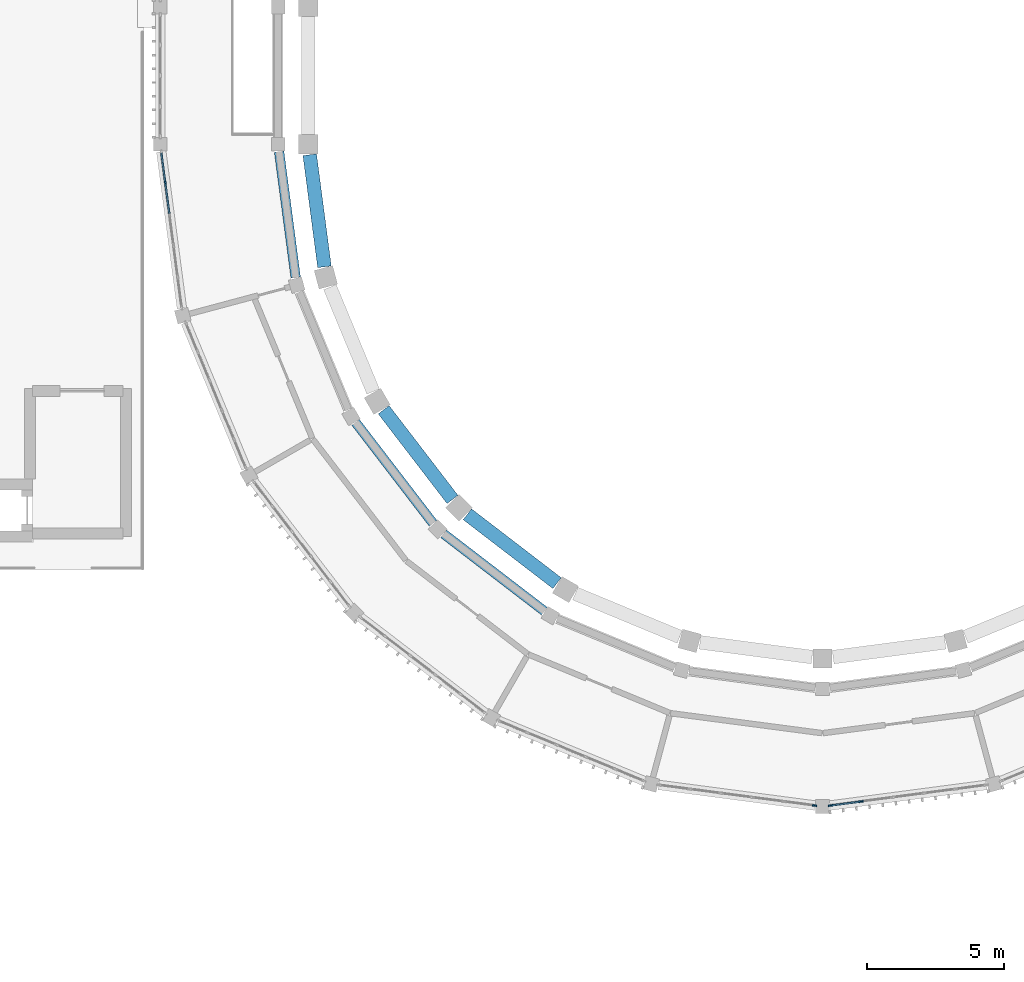
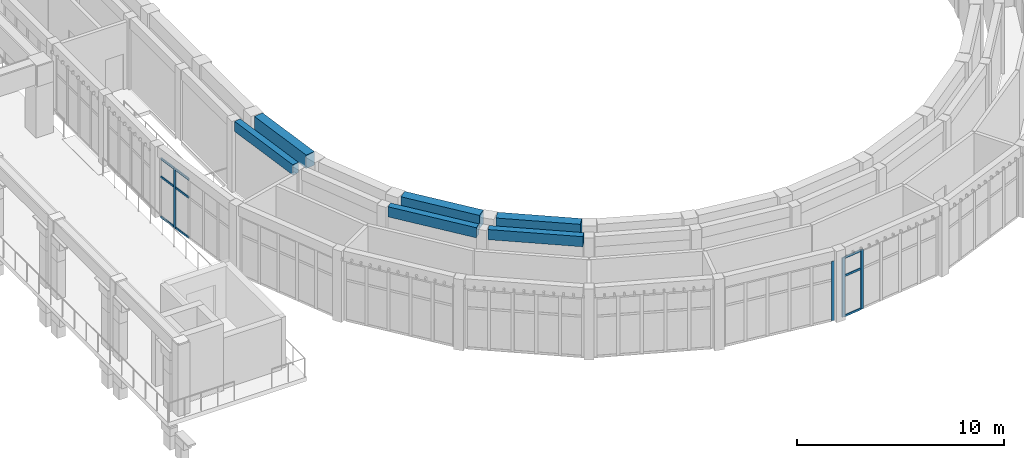
# One storey, part 6 of 99: 13 members, 6 beams, 3 elements without a shape of their own.
"""IFC4 building model written with IfcOpenShell, lengths in metres."""

from ifc_helpers import new_model, si_unit, direction, frame, origin, origin_2d, place, context, subcontext, project, spatial, rectangle, extrude, material, layer, layer_set, material_profile, profile_set, type_object, element, aggregate, save


model = new_model("IFC4")

# Units and contexts
model_context = context("Model", 3, precision=1e-05, world=origin(), true_north=direction((0.0, 1.0)))
body_context = subcontext(model_context, "Body", "Model", "MODEL_VIEW")
ifc_project = project(units=[si_unit("LENGTHUNIT", "METRE"), si_unit("AREAUNIT", "SQUARE_METRE"), si_unit("VOLUMEUNIT", "CUBIC_METRE"), si_unit("PLANEANGLEUNIT", "RADIAN"), si_unit("MASSUNIT", "GRAM", prefix="KILO")], contexts=[model_context])

# Site, building, storey
site_placement = place(None, origin())
site = spatial("IfcSite", under=ifc_project, at=site_placement, CompositionType="ELEMENT")
building_placement = place(site_placement, origin())
building = spatial("IfcBuilding", under=site, at=building_placement, Name="Wasatch Bagh Community Centre", CompositionType="ELEMENT")
storey_placement = place(building_placement, frame((0.0, 0.0, 4.199951171875)))
storey = spatial("IfcBuildingStorey", under=building, at=storey_placement, Name="L01", CompositionType="ELEMENT", Elevation=4.199951171875)

# Curtain wall, member
ifc_material_1 = material(Name="Aluminium curtain wall frame with low-iron insulated glass", Category="aluminium")
ifc_layer = layer(ifc_material_1, 0.14990234375)
ifc_layer_set = layer_set([ifc_layer], Name="Aluminium curtain wall frame with low-iron insulated glass")
curtain_wall_type = type_object("IfcCurtainWallType", Name="Drum curtain wall DR-CW2", PredefinedType="NOTDEFINED", material=ifc_layer_set)
curtain_wall_1_placement = place(storey_placement, origin())
curtain_wall_1 = element("IfcCurtainWall", 1, at=curtain_wall_1_placement, inside=storey, type_object=curtain_wall_type, Name="Curtain wall DR-CW2 1", PredefinedType="NOTDEFINED")
ifc_material_2 = material(Name="Aluminium curtain wall frame", Category="aluminium")
ifc_material_profile_1 = material_profile(ifc_material_2, rectangle(XDim=0.06005859375, YDim=0.159912109375, at=origin_2d()), Name="Drum mullion DR-CW2")
ifc_profile_set_1 = profile_set([ifc_material_profile_1], Name="Aluminium curtain wall frame")
member_type_1 = type_object("IfcMemberType", Name="Drum mullion DR-CW2", PredefinedType="MULLION", material=ifc_profile_set_1)
member_1_placement = place(storey_placement, frame((12.03515625, 33.59375, 0.0), z_axis=(0.0, 0.0, 1.0), x_axis=(0.991444861378, 0.130526192185, 0.0)))
member_1 = element("IfcMember", 2, at=member_1_placement, type_object=member_type_1, Name="DR-CW2 mullion 2", PredefinedType="MULLION", context=body_context, shape_type="SweptSolid", body=[
    extrude(rectangle(XDim=0.06005859375, YDim=0.159912109375, at=origin_2d()), origin(), (0.0, 0.0, 1.0), 3.5),
])

curtain_wall_2_placement = place(storey_placement, origin())
curtain_wall_2 = element("IfcCurtainWall", 3, at=curtain_wall_2_placement, inside=storey, type_object=curtain_wall_type, Name="Curtain wall DR-CW2 6", PredefinedType="NOTDEFINED")
member_2_placement = place(storey_placement, frame((35.7099609375, 10.88818359375, 0.0), z_axis=(0.0, 0.0, 1.0), x_axis=(0.130526192185, 0.991444861378, 0.0)))
member_2 = element("IfcMember", 4, at=member_2_placement, type_object=member_type_1, Name="DR-CW2 mullion 6", PredefinedType="MULLION", context=body_context, shape_type="SweptSolid", body=[
    extrude(rectangle(XDim=0.06005859375, YDim=0.159912109375, at=origin_2d()), origin(), (0.0, 0.0, 1.0), 3.5),
])
aggregate(curtain_wall_2, [member_2])

# Curtain wall, members
curtain_wall_3_placement = place(storey_placement, origin())
curtain_wall_3 = element("IfcCurtainWall", 5, at=curtain_wall_3_placement, inside=storey, type_object=curtain_wall_type, Name="Curtain wall DR-CW2 7", PredefinedType="NOTDEFINED")
member_3_placement = place(storey_placement, frame((36.2900390625, 10.88818359375, 0.0), z_axis=(0.0, 0.0, 1.0), x_axis=(-0.130526192185, 0.991444861378, 0.0)))
member_3 = element("IfcMember", 6, at=member_3_placement, type_object=member_type_1, Name="DR-CW2 mullion 1", PredefinedType="MULLION", context=body_context, shape_type="SweptSolid", body=[
    extrude(rectangle(XDim=0.06005859375, YDim=0.159912109375, at=origin_2d()), origin(), (0.0, 0.0, 1.0), 3.5),
])
member_4_placement = place(storey_placement, frame((37.40625, 11.03515625, 0.0), z_axis=(0.0, 0.0, 1.0), x_axis=(-0.130526192185, 0.991444861378, 0.0)))
member_4 = element("IfcMember", 7, at=member_4_placement, type_object=member_type_1, Name="DR-CW2 mullion 2", PredefinedType="MULLION", context=body_context, shape_type="SweptSolid", body=[
    extrude(rectangle(XDim=0.06005859375, YDim=0.159912109375, at=origin_2d()), origin(), (0.0, 0.0, 1.0), 3.5),
])

# Beams
ifc_material_3 = material(Name="Concrete C35", Category="concrete")
ifc_material_profile_2 = material_profile(ifc_material_3, rectangle(XDim=0.35009765625, YDim=0.60009765625, at=origin_2d()), Name="RC 350x600")
ifc_profile_set_2 = profile_set([ifc_material_profile_2], Name="Concrete C35")
beam_type_1 = type_object("IfcBeamType", Name="Drum ring beam RC 350x600", PredefinedType="BEAM", material=ifc_profile_set_2)
for number, where, z_axis, x_axis, name in (
    (8, (16.18603515625, 34.7265625, 3.900146484375), (0.130495429401, -0.99144891089, 0.0), (0.99144891089, 0.130495429401, 0.0), "Ring beam 8.4 DI-W1-DI-S1"),
    (9, (18.977294921875, 24.856201171875, 3.900146484375), (0.608762451519, -0.793352555691, 0.0), (0.793352555691, 0.608762451519, 0.0), "Ring beam 8.4 DI-S2-DI-S3"),
    (10, (22.1826171875, 20.796142578125, 3.900146484375), (0.793352555691, -0.608762451519, 0.0), (0.608762451519, 0.793352555691, 0.0), "Ring beam 8.4 DI-S3-DI-S4"),
):
    element("IfcBeam", number, at=place(storey_placement, frame(where, z_axis=z_axis, x_axis=x_axis)), inside=storey, type_object=beam_type_1, Name=name, PredefinedType="BEAM", context=body_context, shape_type="SweptSolid", body=[
        extrude(rectangle(XDim=0.35009765625, YDim=0.60009765625, at=origin_2d()), origin(), (0.0, 0.0, 1.0), 4.63037109375),
    ])

# Member
ifc_material_profile_3 = material_profile(ifc_material_2, rectangle(XDim=0.06005859375, YDim=0.1201171875, at=origin_2d()), Name="Drum transom DR-CW2")
ifc_profile_set_3 = profile_set([ifc_material_profile_3], Name="Aluminium curtain wall frame")
member_type_2 = type_object("IfcMemberType", Name="Drum transom DR-CW2", PredefinedType="USERDEFINED", material=ifc_profile_set_3)
member_5_placement = place(storey_placement, frame((11.89208984375, 34.68017578125, 0.030029296875), z_axis=(0.130573025845, -0.991438694485, 0.0), x_axis=(0.991438694485, 0.130573025845, 0.0)))
member_5 = element("IfcMember", 11, at=member_5_placement, type_object=member_type_2, Name="DR-CW2 transom 1.1", ObjectType="TRANSOM", PredefinedType="USERDEFINED", context=body_context, shape_type="SweptSolid", body=[
    extrude(rectangle(XDim=0.06005859375, YDim=0.1201171875, at=origin_2d()), origin(), (0.0, 0.0, 1.0), 1.065673828125),
])

member_6_placement = place(storey_placement, frame((11.89208984375, 34.68017578125, 2.400146484375), z_axis=(0.130573025845, -0.991438694485, 0.0), x_axis=(0.991438694485, 0.130573025845, 0.0)))
member_6 = element("IfcMember", 12, at=member_6_placement, type_object=member_type_2, Name="DR-CW2 transom 1.2", ObjectType="TRANSOM", PredefinedType="USERDEFINED", context=body_context, shape_type="SweptSolid", body=[
    extrude(rectangle(XDim=0.06005859375, YDim=0.1201171875, at=origin_2d()), origin(), (0.0, 0.0, 1.0), 1.065673828125),
])

member_7_placement = place(storey_placement, frame((11.89208984375, 34.68017578125, 3.469970703125), z_axis=(0.130573025845, -0.991438694485, 0.0), x_axis=(0.991438694485, 0.130573025845, 0.0)))
member_7 = element("IfcMember", 13, at=member_7_placement, type_object=member_type_2, Name="DR-CW2 transom 1.3", ObjectType="TRANSOM", PredefinedType="USERDEFINED", context=body_context, shape_type="SweptSolid", body=[
    extrude(rectangle(XDim=0.06005859375, YDim=0.1201171875, at=origin_2d()), origin(), (0.0, 0.0, 1.0), 1.065673828125),
])

member_8_placement = place(storey_placement, frame((12.0390625, 33.56396484375, 0.030029296875), z_axis=(0.130558250608, -0.99144064028, 0.0), x_axis=(0.99144064028, 0.130558250608, 0.0)))
member_8 = element("IfcMember", 14, at=member_8_placement, type_object=member_type_2, Name="DR-CW2 transom 2.1", ObjectType="TRANSOM", PredefinedType="USERDEFINED", context=body_context, shape_type="SweptSolid", body=[
    extrude(rectangle(XDim=0.06005859375, YDim=0.1201171875, at=origin_2d()), origin(), (0.0, 0.0, 1.0), 1.095703125),
])

member_9_placement = place(storey_placement, frame((12.0390625, 33.56396484375, 2.400146484375), z_axis=(0.130558250608, -0.99144064028, 0.0), x_axis=(0.99144064028, 0.130558250608, 0.0)))
member_9 = element("IfcMember", 15, at=member_9_placement, type_object=member_type_2, Name="DR-CW2 transom 2.2", ObjectType="TRANSOM", PredefinedType="USERDEFINED", context=body_context, shape_type="SweptSolid", body=[
    extrude(rectangle(XDim=0.06005859375, YDim=0.1201171875, at=origin_2d()), origin(), (0.0, 0.0, 1.0), 1.095703125),
])

member_10_placement = place(storey_placement, frame((12.0390625, 33.56396484375, 3.469970703125), z_axis=(0.130558250608, -0.99144064028, 0.0), x_axis=(0.99144064028, 0.130558250608, 0.0)))
member_10 = element("IfcMember", 16, at=member_10_placement, type_object=member_type_2, Name="DR-CW2 transom 2.3", ObjectType="TRANSOM", PredefinedType="USERDEFINED", context=body_context, shape_type="SweptSolid", body=[
    extrude(rectangle(XDim=0.06005859375, YDim=0.1201171875, at=origin_2d()), origin(), (0.0, 0.0, 1.0), 1.095703125),
])

aggregate(curtain_wall_1, [member_1, member_5, member_6, member_7, member_8, member_9, member_10])

member_11_placement = place(storey_placement, frame((36.31982421875, 10.89208984375, 0.030029296875), z_axis=(0.991438694485, 0.130573025845, 0.0), x_axis=(-0.130573025845, 0.991438694485, 0.0)))
member_11 = element("IfcMember", 17, at=member_11_placement, type_object=member_type_2, Name="DR-CW2 transom 1.1", ObjectType="TRANSOM", PredefinedType="USERDEFINED", context=body_context, shape_type="SweptSolid", body=[
    extrude(rectangle(XDim=0.06005859375, YDim=0.1201171875, at=origin_2d()), origin(), (0.0, 0.0, 1.0), 1.065673828125),
])

member_12_placement = place(storey_placement, frame((36.31982421875, 10.89208984375, 2.400146484375), z_axis=(0.991438694485, 0.130573025845, 0.0), x_axis=(-0.130573025845, 0.991438694485, 0.0)))
member_12 = element("IfcMember", 18, at=member_12_placement, type_object=member_type_2, Name="DR-CW2 transom 1.2", ObjectType="TRANSOM", PredefinedType="USERDEFINED", context=body_context, shape_type="SweptSolid", body=[
    extrude(rectangle(XDim=0.06005859375, YDim=0.1201171875, at=origin_2d()), origin(), (0.0, 0.0, 1.0), 1.065673828125),
])

member_13_placement = place(storey_placement, frame((36.31982421875, 10.89208984375, 3.469970703125), z_axis=(0.991438694485, 0.130573025845, 0.0), x_axis=(-0.130573025845, 0.991438694485, 0.0)))
member_13 = element("IfcMember", 19, at=member_13_placement, type_object=member_type_2, Name="DR-CW2 transom 1.3", ObjectType="TRANSOM", PredefinedType="USERDEFINED", context=body_context, shape_type="SweptSolid", body=[
    extrude(rectangle(XDim=0.06005859375, YDim=0.1201171875, at=origin_2d()), origin(), (0.0, 0.0, 1.0), 1.065673828125),
])

aggregate(curtain_wall_3, [member_3, member_4, member_11, member_12, member_13])

# Beams
ifc_material_profile_4 = material_profile(ifc_material_3, rectangle(XDim=0.5, YDim=0.800048828125, at=origin_2d()), Name="RC 500x800")
ifc_profile_set_4 = profile_set([ifc_material_profile_4], Name="Concrete C35")
beam_type_2 = type_object("IfcBeamType", Name="MH ring beam RC 500x800", PredefinedType="BEAM", material=ifc_profile_set_4)
for number, where, z_axis, x_axis, name in (
    (20, (17.300537109375, 34.616943359375, 3.800048828125), (0.130483623501, -0.991450464722, 0.0), (0.991450464722, 0.130483623501, 0.0), "Ring beam 8.4 W1-S1"),
    (21, (19.997314453125, 25.318359375, 3.800048828125), (0.60877717335, -0.793341258985, 0.0), (0.793341258985, 0.60877717335, 0.0), "Ring beam 8.4 S2-S3"),
    (22, (23.04833984375, 21.506591796875, 3.800048828125), (0.793341258985, -0.60877717335, 0.0), (0.60877717335, 0.793341258985, 0.0), "Ring beam 8.4 S3-S4"),
):
    element("IfcBeam", number, at=place(storey_placement, frame(where, z_axis=z_axis, x_axis=x_axis)), inside=storey, type_object=beam_type_2, Name=name, PredefinedType="BEAM", context=body_context, shape_type="SweptSolid", body=[
        extrude(rectangle(XDim=0.5, YDim=0.800048828125, at=origin_2d()), origin(), (0.0, 0.0, 1.0), 4.121826171875),
    ])

save(model, "model.ifc")
